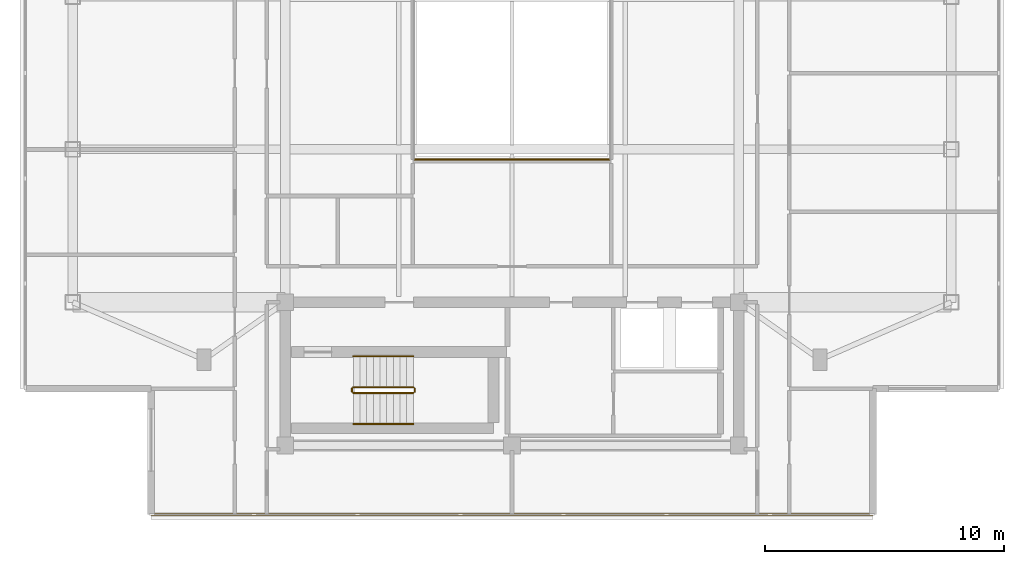
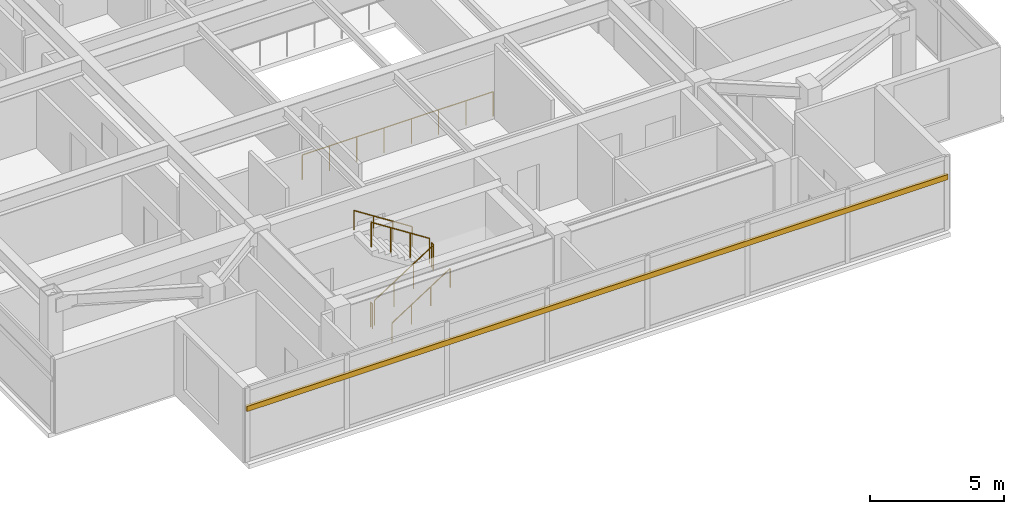
# One storey, part 9 of 12: 7 railings, 1 shading device.
"""IFC4 building model written with IfcOpenShell, lengths in metres."""

from ifc_helpers import new_model, si_unit, direction, frame, origin, origin_2d, place, context, subcontext, project, spatial, rectangle, circle, extrude, material, material_profile, profile_set, type_object, element, save


model = new_model("IFC4")

# Units and contexts
model_context = context("Model", 3, precision=1e-05, world=origin(), true_north=direction((0.0, 1.0)))
body_context = subcontext(model_context, "Body", "Model", "MODEL_VIEW")
ifc_project = project(units=[si_unit("LENGTHUNIT", "METRE"), si_unit("AREAUNIT", "SQUARE_METRE"), si_unit("VOLUMEUNIT", "CUBIC_METRE"), si_unit("PLANEANGLEUNIT", "RADIAN"), si_unit("MASSUNIT", "GRAM", prefix="KILO")], contexts=[model_context])

# Site, building, storey
site_placement = place(None, origin())
site = spatial("IfcSite", under=ifc_project, at=site_placement, CompositionType="ELEMENT")
building_placement = place(site_placement, origin())
building = spatial("IfcBuilding", under=site, at=building_placement, Name="Mirazonda Arch Towers", CompositionType="ELEMENT")
storey_placement = place(building_placement, frame((0.0, 0.0, 256.300048828125)))
storey = spatial("IfcBuildingStorey", under=building, at=storey_placement, Name="L73", CompositionType="ELEMENT", Elevation=256.300048828125)

# Shading device
ifc_material_1 = material(Name="Kiln-Fired Architectural Terracotta", Category="masonry")
ifc_material_profile = material_profile(ifc_material_1, rectangle(XDim=0.1201171875, YDim=0.239990234375, at=origin_2d()), Name="TERRA-BAG-120x240")
ifc_profile_set = profile_set([ifc_material_profile], Name="Kiln-Fired Architectural Terracotta")
shading_device_type = type_object("IfcShadingDeviceType", Name="BAGUETTE-1", PredefinedType="USERDEFINED", material=ifc_profile_set)
shading_device_placement = place(storey_placement, frame((35.625, 9.513916015625, 2.43359375), z_axis=(-1.0, 0.0, 0.0), x_axis=(0.0, -1.0, 0.0)))
element("IfcShadingDevice", 1, at=shading_device_placement, inside=storey, type_object=shading_device_type, Name="L73 Glazed Terracotta Sun-Screen Baguette CW-L73-T1-S", ObjectType="BAGUETTE", PredefinedType="USERDEFINED", context=body_context, shape_type="SweptSolid", body=[
    extrude(rectangle(XDim=0.1201171875, YDim=0.239990234375, at=origin_2d()), origin(), (0.0, 0.0, 1.0), 30.25),
])

# Railings
ifc_material_2 = material(Name="Insulated Low-E Solar Glass", Category="glass")
railing_type_1 = type_object("IfcRailingType", Name="BALUSTRADE-ATRIUM-1150", PredefinedType="BALUSTRADE", material=ifc_material_2)
railing_1_placement = place(storey_placement, frame((16.3798828125, 24.3798828125, 0.0)))
element("IfcRailing", 2, at=railing_1_placement, inside=storey, type_object=railing_type_1, Name="L73 L73 Sky-Lookout Oculus Balustrade 01", PredefinedType="BALUSTRADE", context=body_context, shape_type="SweptSolid", body=[
    extrude(circle(Radius=0.02392578125, at=origin_2d()), frame((0.0, 0.0, 1.1259765625), z_axis=(1.0, 0.0, 0.0), x_axis=(0.0, 1.0, 0.0)), (0.0, 0.0, 1.0), 8.240234375),
    extrude(circle(Radius=0.02099609375, at=origin_2d()), origin(), (0.0, 0.0, 1.0), 1.101806640625),
    extrude(circle(Radius=0.02099609375, at=origin_2d()), frame((1.17724609375, 0.0, 0.0)), (0.0, 0.0, 1.0), 1.101806640625),
    extrude(circle(Radius=0.02099609375, at=origin_2d()), frame((2.354248046875, 0.0, 0.0)), (0.0, 0.0, 1.0), 1.101806640625),
    extrude(circle(Radius=0.02099609375, at=origin_2d()), frame((3.531494140625, 0.0, 0.0)), (0.0, 0.0, 1.0), 1.101806640625),
    extrude(circle(Radius=0.02099609375, at=origin_2d()), frame((4.708740234375, 0.0, 0.0)), (0.0, 0.0, 1.0), 1.101806640625),
    extrude(circle(Radius=0.02099609375, at=origin_2d()), frame((5.885986328125, 0.0, 0.0)), (0.0, 0.0, 1.0), 1.101806640625),
    extrude(circle(Radius=0.02099609375, at=origin_2d()), frame((7.06298828125, 0.0, 0.0)), (0.0, 0.0, 1.0), 1.101806640625),
    extrude(circle(Radius=0.02099609375, at=origin_2d()), frame((8.240234375, 0.0, 0.0)), (0.0, 0.0, 1.0), 1.101806640625),
])
ifc_material_3 = material(Name="Architectural Brushed Steel S355", Category="steel")
railing_type_2 = type_object("IfcRailingType", Name="GUARD-STAIR-1120", PredefinedType="GUARDRAIL", material=ifc_material_3)
railing_2_placement = place(storey_placement, frame((13.85009765625, 14.60009765625, 0.179931640625)))
element("IfcRailing", 3, at=railing_2_placement, inside=storey, type_object=railing_type_2, Name="L73 ST-T1S stair guard 1", PredefinedType="GUARDRAIL", context=body_context, shape_type="SweptSolid", body=[
    extrude(circle(Radius=0.02392578125, at=origin_2d()), frame((0.0, 0.0, 1.1259765625), z_axis=(0.841162588446, 0.0, 0.540782303519), x_axis=(0.0, 1.0, 0.0)), (0.0, 0.0, 1.0), 2.995849609375),
    extrude(circle(Radius=0.02099609375, at=origin_2d()), origin(), (0.0, 0.0, 1.0), 1.101806640625),
    extrude(circle(Radius=0.02099609375, at=origin_2d()), frame((0.840087890625, 0.0, 0.5400390625)), (0.0, 0.0, 1.0), 1.101806640625),
    extrude(circle(Radius=0.02099609375, at=origin_2d()), frame((1.679931640625, 0.0, 1.080078125)), (0.0, 0.0, 1.0), 1.101806640625),
    extrude(circle(Radius=0.02099609375, at=origin_2d()), frame((2.52001953125, 0.0, 1.6201171875)), (0.0, 0.0, 1.0), 1.101806640625),
])
railing_3_placement = place(storey_placement, frame((16.419921875, 14.64990234375, 1.800048828125)))
element("IfcRailing", 4, at=railing_3_placement, inside=storey, type_object=railing_type_2, Name="L73 ST-T1S stair guard 2", PredefinedType="GUARDRAIL", context=body_context, shape_type="SweptSolid", body=[
    extrude(circle(Radius=0.02392578125, at=origin_2d()), frame((0.0, 0.0, 1.1259765625), z_axis=(0.0, 1.0, 0.0), x_axis=(-1.0, 0.0, 0.0)), (0.0, 0.0, 1.0), 0.14013671875),
    extrude(circle(Radius=0.02099609375, at=origin_2d()), origin(), (0.0, 0.0, 1.0), 1.101806640625),
    extrude(circle(Radius=0.02099609375, at=origin_2d()), frame((0.0, 0.14013671875, 0.0)), (0.0, 0.0, 1.0), 1.101806640625),
])
railing_4_placement = place(storey_placement, frame((16.3701171875, 14.840087890625, 1.97998046875)))
element("IfcRailing", 5, at=railing_4_placement, inside=storey, type_object=railing_type_2, Name="L73 ST-T1S stair guard 3", PredefinedType="GUARDRAIL", context=body_context, shape_type="SweptSolid", body=[
    extrude(circle(Radius=0.02392578125, at=origin_2d()), frame((0.0, 0.0, 1.1259765625), z_axis=(-0.841199657755, 0.0, 0.540724639528), x_axis=(0.0, -1.0, 0.0)), (0.0, 0.0, 1.0), 2.995849609375),
    extrude(circle(Radius=0.02099609375, at=origin_2d()), origin(), (0.0, 0.0, 1.0), 1.101806640625),
    extrude(circle(Radius=0.02099609375, at=origin_2d()), frame((-0.840087890625, 0.0, 0.5400390625)), (0.0, 0.0, 1.0), 1.101806640625),
    extrude(circle(Radius=0.02099609375, at=origin_2d()), frame((-1.679931640625, 0.0, 1.079833984375)), (0.0, 0.0, 1.0), 1.101806640625),
    extrude(circle(Radius=0.02099609375, at=origin_2d()), frame((-2.52001953125, 0.0, 1.619873046875)), (0.0, 0.0, 1.0), 1.101806640625),
])
railing_5_placement = place(storey_placement, frame((13.800048828125, 14.64990234375, 0.0)))
element("IfcRailing", 6, at=railing_5_placement, inside=storey, type_object=railing_type_2, Name="L73 ST-T1S stair guard 4", PredefinedType="GUARDRAIL", context=body_context, shape_type="SweptSolid", body=[
    extrude(circle(Radius=0.02392578125, at=origin_2d()), frame((0.0, 0.0, 1.1259765625), z_axis=(0.0, 1.0, 0.0), x_axis=(-1.0, 0.0, 0.0)), (0.0, 0.0, 1.0), 0.14013671875),
    extrude(circle(Radius=0.02099609375, at=origin_2d()), origin(), (0.0, 0.0, 1.0), 1.101806640625),
    extrude(circle(Radius=0.02099609375, at=origin_2d()), frame((0.0, 0.14013671875, 0.0)), (0.0, 0.0, 1.0), 1.101806640625),
])
railing_type_3 = type_object("IfcRailingType", Name="HANDRAIL-915", PredefinedType="HANDRAIL", material=ifc_material_3)
railing_6_placement = place(storey_placement, frame((13.85009765625, 13.300048828125, 0.179931640625)))
element("IfcRailing", 7, at=railing_6_placement, inside=storey, type_object=railing_type_3, Name="L73 ST-T1S stair handrail 1", PredefinedType="HANDRAIL", context=body_context, shape_type="SweptSolid", body=[
    extrude(circle(Radius=0.02392578125, at=origin_2d()), frame((0.0, 0.0, 0.8759765625), z_axis=(0.841162588446, 0.0, 0.540782303519), x_axis=(0.0, 1.0, 0.0)), (0.0, 0.0, 1.0), 2.995849609375),
    extrude(circle(Radius=0.02099609375, at=origin_2d()), origin(), (0.0, 0.0, 1.0), 0.851806640625),
    extrude(circle(Radius=0.02099609375, at=origin_2d()), frame((0.840087890625, 0.0, 0.5400390625)), (0.0, 0.0, 1.0), 0.851806640625),
    extrude(circle(Radius=0.02099609375, at=origin_2d()), frame((1.679931640625, 0.0, 1.080078125)), (0.0, 0.0, 1.0), 0.851806640625),
    extrude(circle(Radius=0.02099609375, at=origin_2d()), frame((2.52001953125, 0.0, 1.6201171875)), (0.0, 0.0, 1.0), 0.851806640625),
])
railing_7_placement = place(storey_placement, frame((16.3701171875, 16.139892578125, 1.97998046875)))
element("IfcRailing", 8, at=railing_7_placement, inside=storey, type_object=railing_type_3, Name="L73 ST-T1S stair handrail 2", PredefinedType="HANDRAIL", context=body_context, shape_type="SweptSolid", body=[
    extrude(circle(Radius=0.02392578125, at=origin_2d()), frame((0.0, 0.0, 0.8759765625), z_axis=(-0.841199657755, 0.0, 0.540724639528), x_axis=(0.0, -1.0, 0.0)), (0.0, 0.0, 1.0), 2.995849609375),
    extrude(circle(Radius=0.02099609375, at=origin_2d()), origin(), (0.0, 0.0, 1.0), 0.851806640625),
    extrude(circle(Radius=0.02099609375, at=origin_2d()), frame((-0.840087890625, 0.0, 0.5400390625)), (0.0, 0.0, 1.0), 0.851806640625),
    extrude(circle(Radius=0.02099609375, at=origin_2d()), frame((-1.679931640625, 0.0, 1.079833984375)), (0.0, 0.0, 1.0), 0.851806640625),
    extrude(circle(Radius=0.02099609375, at=origin_2d()), frame((-2.52001953125, 0.0, 1.619873046875)), (0.0, 0.0, 1.0), 0.851806640625),
])

save(model, "model.ifc")
